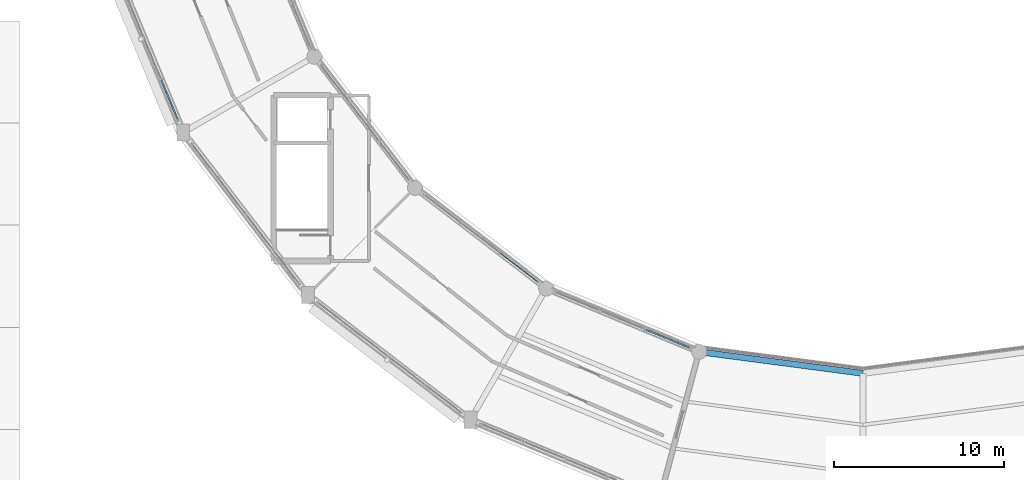
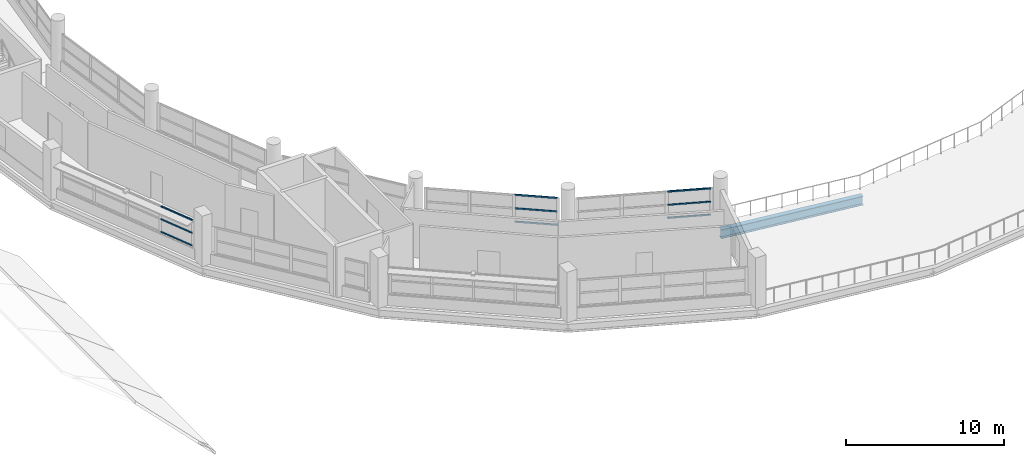
# One storey, part 10 of 53: 9 members, 1 beam, 3 elements without a shape of their own.
"""IFC4 building model written with IfcOpenShell, lengths in metres."""

from ifc_helpers import new_model, si_unit, direction, frame, origin, origin_2d, place, context, subcontext, project, spatial, hollow_rectangle, i_section, extrude, material, layer, layer_set, material_profile, profile_set, type_object, element, aggregate, save


model = new_model("IFC4")

# Units and contexts
model_context = context("Model", 3, precision=1e-05, world=origin(), true_north=direction((0.0, 1.0)))
body_context = subcontext(model_context, "Body", "Model", "MODEL_VIEW")
ifc_project = project(units=[si_unit("LENGTHUNIT", "METRE"), si_unit("AREAUNIT", "SQUARE_METRE"), si_unit("VOLUMEUNIT", "CUBIC_METRE"), si_unit("PLANEANGLEUNIT", "RADIAN"), si_unit("MASSUNIT", "GRAM", prefix="KILO")], contexts=[model_context])

# Site, building, storey
site_placement = place(None, origin())
site = spatial("IfcSite", under=ifc_project, at=site_placement, CompositionType="ELEMENT")
building_placement = place(site_placement, origin())
building = spatial("IfcBuilding", under=site, at=building_placement, Name="Vespera Passage Community Centre", CompositionType="ELEMENT")
storey_placement = place(building_placement, frame((0.0, 0.0, 20.39990234375)))
storey = spatial("IfcBuildingStorey", under=building, at=storey_placement, Name="L05", CompositionType="ELEMENT", Elevation=20.39990234375)

# Beam
ifc_material_1 = material(Name="Steel ASTM A992 Grade 50", Category="steel")
ifc_material_profile_1 = material_profile(ifc_material_1, i_section(OverallWidth=0.3544921875, OverallDepth=0.695556640625, WebThickness=0.015380859375, FlangeThickness=0.024658203125, FilletRadius=0.01513671875, at=origin_2d()), Name="W27X146")
ifc_profile_set_1 = profile_set([ifc_material_profile_1], Name="Steel ASTM A992 Grade 50")
beam_type = type_object("IfcBeamType", Name="BM-SP-W27X146E", PredefinedType="SPANDREL", material=ifc_profile_set_1)
beam_placement = place(storey_placement, frame((68.371826171875, 29.567626953125, -0.607666015625), z_axis=(0.991444794834, -0.130526697639, 0.0), x_axis=(0.130526697639, 0.991444794834, 0.0)))
element("IfcBeam", 1, at=beam_placement, inside=storey, type_object=beam_type, Name="V4 L05 Inner Spandrel 17", PredefinedType="SPANDREL", context=body_context, shape_type="SweptSolid", body=[
    extrude(i_section(OverallWidth=0.3544921875, OverallDepth=0.695556640625, WebThickness=0.015380859375, FlangeThickness=0.024658203125, FilletRadius=0.01513671875, at=origin_2d()), origin(), (0.0, 0.0, 1.0), 9.711181640625),
])

# Curtain wall, members
ifc_material_2 = material(Name="Anodized aluminium 6063-T6", Category="aluminium")
ifc_layer_1 = layer(ifc_material_2, 0.159912109375)
ifc_layer_set_1 = layer_set([ifc_layer_1], Name="Anodized aluminium 6063-T6")
curtain_wall_type_1 = type_object("IfcCurtainWallType", Name="CW-76E", PredefinedType="NOTDEFINED", material=ifc_layer_set_1)
curtain_wall_1_placement = place(storey_placement, origin())
curtain_wall_1 = element("IfcCurtainWall", 2, at=curtain_wall_1_placement, inside=storey, type_object=curtain_wall_type_1, Name="V4 L05 Outer Ribbon Curtain Wall 13", PredefinedType="NOTDEFINED")
ifc_material_3 = material(Name="Anodized aluminium 6063-T6", Category="aluminium")
ifc_material_profile_2 = material_profile(ifc_material_3, hollow_rectangle(XDim=0.10009765625, YDim=0.10009765625, WallThickness=0.00390625, InnerFilletRadius=0.001953125, OuterFilletRadius=0.00390625, at=origin_2d()), Name="ALU100X100X4")
ifc_profile_set_2 = profile_set([ifc_material_profile_2], Name="Anodized aluminium 6063-T6")
member_type_1 = type_object("IfcMemberType", Name="MB-CWT-100E", PredefinedType="USERDEFINED", material=ifc_profile_set_2)
member_1_placement = place(storey_placement, frame((37.758056640625, 43.2177734375, 0.8701171875), z_axis=(-0.3826800364, 0.923880939159, 0.0), x_axis=(-0.923880939159, -0.3826800364, 0.0)))
member_1 = element("IfcMember", 3, at=member_1_placement, type_object=member_type_1, Name="CW-76E transom 1.1", ObjectType="TRANSOM", PredefinedType="USERDEFINED", context=body_context, shape_type="SweptSolid", body=[
    extrude(hollow_rectangle(XDim=0.10009765625, YDim=0.10009765625, WallThickness=0.00390625, InnerFilletRadius=0.001953125, OuterFilletRadius=0.00390625, at=origin_2d()), origin(), (0.0, 0.0, 1.0), 2.51806640625),
])
member_2_placement = place(storey_placement, frame((37.758056640625, 43.2177734375, 1.843017578125), z_axis=(-0.3826800364, 0.923880939159, 0.0), x_axis=(-0.923880939159, -0.3826800364, 0.0)))
member_2 = element("IfcMember", 4, at=member_2_placement, type_object=member_type_1, Name="CW-76E transom 1.2", ObjectType="TRANSOM", PredefinedType="USERDEFINED", context=body_context, shape_type="SweptSolid", body=[
    extrude(hollow_rectangle(XDim=0.10009765625, YDim=0.10009765625, WallThickness=0.00390625, InnerFilletRadius=0.001953125, OuterFilletRadius=0.00390625, at=origin_2d()), origin(), (0.0, 0.0, 1.0), 2.51806640625),
])
member_3_placement = place(storey_placement, frame((37.758056640625, 43.2177734375, 2.81591796875), z_axis=(-0.3826800364, 0.923880939159, 0.0), x_axis=(-0.923880939159, -0.3826800364, 0.0)))
member_3 = element("IfcMember", 5, at=member_3_placement, type_object=member_type_1, Name="CW-76E transom 1.3", ObjectType="TRANSOM", PredefinedType="USERDEFINED", context=body_context, shape_type="SweptSolid", body=[
    extrude(hollow_rectangle(XDim=0.10009765625, YDim=0.10009765625, WallThickness=0.00390625, InnerFilletRadius=0.001953125, OuterFilletRadius=0.00390625, at=origin_2d()), origin(), (0.0, 0.0, 1.0), 2.51806640625),
])
aggregate(curtain_wall_1, [member_1, member_2, member_3])

ifc_material_4 = material(Name="Anodized aluminium 6063-T6", Category="aluminium")
ifc_layer_2 = layer(ifc_material_4, 0.159912109375)
ifc_layer_set_2 = layer_set([ifc_layer_2], Name="Anodized aluminium 6063-T6")
curtain_wall_type_2 = type_object("IfcCurtainWallType", Name="CW-72E", PredefinedType="NOTDEFINED", material=ifc_layer_set_2)
curtain_wall_2_placement = place(storey_placement, origin())
curtain_wall_2 = element("IfcCurtainWall", 6, at=curtain_wall_2_placement, inside=storey, type_object=curtain_wall_type_2, Name="V4 L05 Inner Court Curtain Wall 16", PredefinedType="NOTDEFINED")
member_4_placement = place(storey_placement, frame((65.249755859375, 30.86083984375, 0.8701171875), z_axis=(0.923863992677, -0.382720946689, 0.0), x_axis=(0.382720946689, 0.923863992677, 0.0)))
member_4 = element("IfcMember", 7, at=member_4_placement, type_object=member_type_1, Name="CW-72E transom 3.1", ObjectType="TRANSOM", PredefinedType="USERDEFINED", context=body_context, shape_type="SweptSolid", body=[
    extrude(hollow_rectangle(XDim=0.10009765625, YDim=0.10009765625, WallThickness=0.00390625, InnerFilletRadius=0.001953125, OuterFilletRadius=0.00390625, at=origin_2d()), origin(), (0.0, 0.0, 1.0), 2.7646484375),
])
member_5_placement = place(storey_placement, frame((65.249755859375, 30.86083984375, 1.884765625), z_axis=(0.923863992677, -0.382720946689, 0.0), x_axis=(0.382720946689, 0.923863992677, 0.0)))
member_5 = element("IfcMember", 8, at=member_5_placement, type_object=member_type_1, Name="CW-72E transom 3.2", ObjectType="TRANSOM", PredefinedType="USERDEFINED", context=body_context, shape_type="SweptSolid", body=[
    extrude(hollow_rectangle(XDim=0.10009765625, YDim=0.10009765625, WallThickness=0.00390625, InnerFilletRadius=0.001953125, OuterFilletRadius=0.00390625, at=origin_2d()), origin(), (0.0, 0.0, 1.0), 2.7646484375),
])
member_6_placement = place(storey_placement, frame((65.249755859375, 30.86083984375, 2.899658203125), z_axis=(0.923863992677, -0.382720946689, 0.0), x_axis=(0.382720946689, 0.923863992677, 0.0)))
member_6 = element("IfcMember", 9, at=member_6_placement, type_object=member_type_1, Name="CW-72E transom 3.3", ObjectType="TRANSOM", PredefinedType="USERDEFINED", context=body_context, shape_type="SweptSolid", body=[
    extrude(hollow_rectangle(XDim=0.10009765625, YDim=0.10009765625, WallThickness=0.00390625, InnerFilletRadius=0.001953125, OuterFilletRadius=0.00390625, at=origin_2d()), origin(), (0.0, 0.0, 1.0), 2.7646484375),
])
aggregate(curtain_wall_2, [member_4, member_5, member_6])

ifc_material_5 = material(Name="Anodized aluminium 6063-T6", Category="aluminium")
ifc_layer_3 = layer(ifc_material_5, 0.159912109375)
ifc_layer_set_3 = layer_set([ifc_layer_3], Name="Anodized aluminium 6063-T6")
curtain_wall_type_3 = type_object("IfcCurtainWallType", Name="CW-70E", PredefinedType="NOTDEFINED", material=ifc_layer_set_3)
curtain_wall_3_placement = place(storey_placement, origin())
curtain_wall_3 = element("IfcCurtainWall", 10, at=curtain_wall_3_placement, inside=storey, type_object=curtain_wall_type_3, Name="V4 L05 Inner Court Curtain Wall 15", PredefinedType="NOTDEFINED")
ifc_material_6 = material(Name="Anodized aluminium 6063-T6", Category="aluminium")
ifc_material_profile_3 = material_profile(ifc_material_6, hollow_rectangle(XDim=0.06005859375, YDim=0.1201171875, WallThickness=0.00390625, InnerFilletRadius=0.001953125, OuterFilletRadius=0.00390625, at=origin_2d()), Name="ALU120X60X4")
ifc_profile_set_3 = profile_set([ifc_material_profile_3], Name="Anodized aluminium 6063-T6")
member_type_2 = type_object("IfcMemberType", Name="MB-CWT-120E", PredefinedType="USERDEFINED", material=ifc_profile_set_3)
member_7_placement = place(storey_placement, frame((56.704833984375, 35.35205078125, 0.85009765625), z_axis=(0.793338465411, -0.608780813839, 0.0), x_axis=(0.608780813839, 0.793338465411, 0.0)))
member_7 = element("IfcMember", 11, at=member_7_placement, type_object=member_type_2, Name="CW-70E transom 3.1", ObjectType="TRANSOM", PredefinedType="USERDEFINED", context=body_context, shape_type="SweptSolid", body=[
    extrude(hollow_rectangle(XDim=0.06005859375, YDim=0.1201171875, WallThickness=0.00390625, InnerFilletRadius=0.001953125, OuterFilletRadius=0.00390625, at=origin_2d()), origin(), (0.0, 0.0, 1.0), 2.72900390625),
])
member_8_placement = place(storey_placement, frame((56.704833984375, 35.35205078125, 1.884765625), z_axis=(0.793338465411, -0.608780813839, 0.0), x_axis=(0.608780813839, 0.793338465411, 0.0)))
member_8 = element("IfcMember", 12, at=member_8_placement, type_object=member_type_2, Name="CW-70E transom 3.2", ObjectType="TRANSOM", PredefinedType="USERDEFINED", context=body_context, shape_type="SweptSolid", body=[
    extrude(hollow_rectangle(XDim=0.06005859375, YDim=0.1201171875, WallThickness=0.00390625, InnerFilletRadius=0.001953125, OuterFilletRadius=0.00390625, at=origin_2d()), origin(), (0.0, 0.0, 1.0), 2.72900390625),
])
member_9_placement = place(storey_placement, frame((56.704833984375, 35.35205078125, 2.919677734375), z_axis=(0.793338465411, -0.608780813839, 0.0), x_axis=(0.608780813839, 0.793338465411, 0.0)))
member_9 = element("IfcMember", 13, at=member_9_placement, type_object=member_type_2, Name="CW-70E transom 3.3", ObjectType="TRANSOM", PredefinedType="USERDEFINED", context=body_context, shape_type="SweptSolid", body=[
    extrude(hollow_rectangle(XDim=0.06005859375, YDim=0.1201171875, WallThickness=0.00390625, InnerFilletRadius=0.001953125, OuterFilletRadius=0.00390625, at=origin_2d()), origin(), (0.0, 0.0, 1.0), 2.72900390625),
])
aggregate(curtain_wall_3, [member_7, member_8, member_9])

save(model, "model.ifc")
